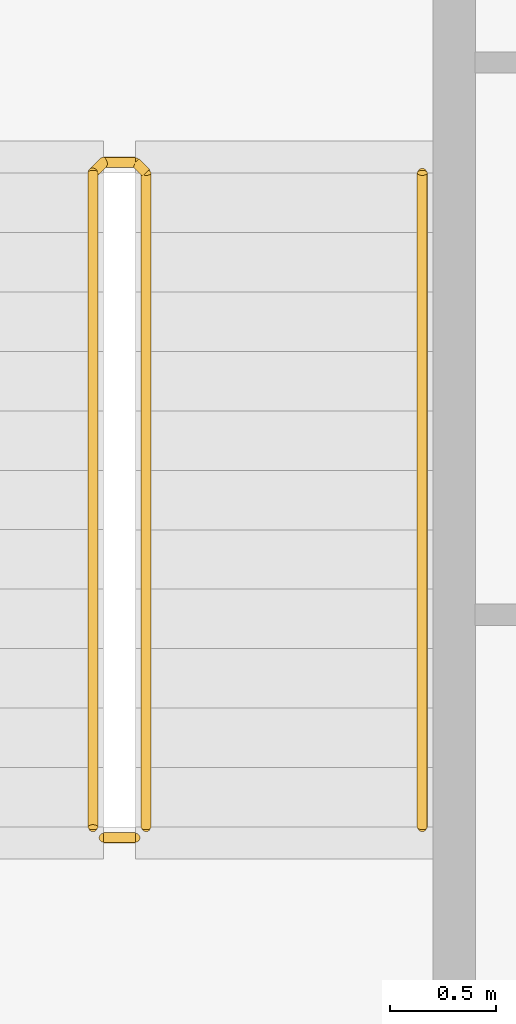
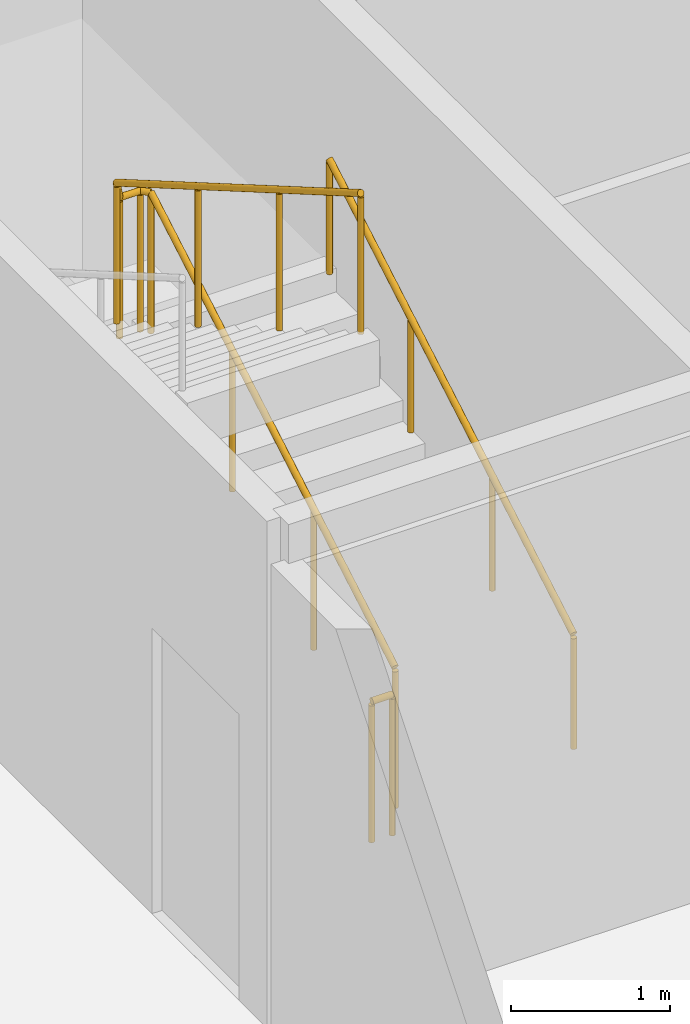
# One storey, part 26 of 27: 3 railings.
"""IFC4 building model written with IfcOpenShell, lengths in metres."""

from ifc_helpers import new_model, si_unit, direction, frame, origin, origin_2d, place, context, subcontext, project, spatial, circle, extrude, material, type_object, element, save


model = new_model("IFC4")

# Units and contexts
model_context = context("Model", 3, precision=1e-05, world=origin(), true_north=direction((0.0, 1.0)))
body_context = subcontext(model_context, "Body", "Model", "MODEL_VIEW")
ifc_project = project(units=[si_unit("LENGTHUNIT", "METRE"), si_unit("AREAUNIT", "SQUARE_METRE"), si_unit("VOLUMEUNIT", "CUBIC_METRE"), si_unit("PLANEANGLEUNIT", "RADIAN"), si_unit("MASSUNIT", "GRAM", prefix="KILO")], contexts=[model_context])

# Site, building, storey
site_placement = place(None, origin())
site = spatial("IfcSite", under=ifc_project, at=site_placement, CompositionType="ELEMENT")
building_placement = place(site_placement, origin())
building = spatial("IfcBuilding", under=site, at=building_placement, Name="Kheshtan School and Residences Tower", CompositionType="ELEMENT")
storey_placement = place(building_placement, frame((0.0, 0.0, 101.89990234375)))
storey = spatial("IfcBuildingStorey", under=building, at=storey_placement, Name="L23", CompositionType="ELEMENT", Elevation=101.89990234375)

# Railings
ifc_material_1 = material(Name="Stainless steel balustrade", Category="steel")
railing_type_1 = type_object("IfcRailingType", Name="Stair guard 1100", PredefinedType="GUARDRAIL", material=ifc_material_1)
railing_1_placement = place(storey_placement, frame((35.0, 80.89990234375, 0.16259765625)))
element("IfcRailing", 1, at=railing_1_placement, inside=storey, type_object=railing_type_1, Name="L23 ST3 stair guard 1", PredefinedType="GUARDRAIL", context=body_context, shape_type="SweptSolid", body=[
    extrude(circle(Radius=0.02392578125, at=origin_2d()), frame((0.0, 0.0, 1.076171875), z_axis=(0.0, 0.864890721111, 0.501960198159), x_axis=(-1.0, 0.0, 0.0)), (0.0, 0.0, 1.0), 3.561279296875),
    extrude(circle(Radius=0.02392578125, at=origin_2d()), frame((0.0, 3.080078125, 2.86376953125), z_axis=(-0.707106781187, 0.707106781187, 0.0), x_axis=(-0.707106781187, -0.707106781187, 0.0)), (0.0, 0.0, 1.0), 0.07080078125),
    extrude(circle(Radius=0.02392578125, at=origin_2d()), frame((-0.050048828125, 3.130126953125, 2.86376953125), z_axis=(-1.0, 0.0, 0.0), x_axis=(0.0, -1.0, 0.0)), (0.0, 0.0, 1.0), 0.14990234375),
    extrude(circle(Radius=0.02392578125, at=origin_2d()), frame((-0.199951171875, 3.130126953125, 2.86376953125), z_axis=(-0.282583949758, -0.282583949758, 0.916674763849), x_axis=(0.707106781187, -0.707106781187, 0.0)), (0.0, 0.0, 1.0), 0.177001953125),
    extrude(circle(Radius=0.02392578125, at=origin_2d()), frame((-0.25, 3.080078125, 3.02587890625), z_axis=(0.0, -0.864890721111, 0.501960198159), x_axis=(1.0, 0.0, 0.0)), (0.0, 0.0, 1.0), 3.561279296875),
    extrude(circle(Radius=0.02099609375, at=origin_2d()), origin(), (0.0, 0.0, 1.0), 1.052001953125),
    extrude(circle(Radius=0.02099609375, at=origin_2d()), frame((0.0, 1.026611328125, 0.595947265625)), (0.0, 0.0, 1.0), 1.052001953125),
    extrude(circle(Radius=0.02099609375, at=origin_2d()), frame((0.0, 2.053466796875, 1.191650390625)), (0.0, 0.0, 1.0), 1.052001953125),
    extrude(circle(Radius=0.02099609375, at=origin_2d()), frame((0.0, 3.080078125, 1.78759765625)), (0.0, 0.0, 1.0), 1.052001953125),
    extrude(circle(Radius=0.02099609375, at=origin_2d()), frame((-0.050048828125, 3.130126953125, 1.78759765625)), (0.0, 0.0, 1.0), 1.052001953125),
    extrude(circle(Radius=0.02099609375, at=origin_2d()), frame((-0.199951171875, 3.130126953125, 1.78759765625)), (0.0, 0.0, 1.0), 1.052001953125),
    extrude(circle(Radius=0.02099609375, at=origin_2d()), frame((-0.25, 3.080078125, 1.949951171875)), (0.0, 0.0, 1.0), 1.052001953125),
    extrude(circle(Radius=0.02099609375, at=origin_2d()), frame((-0.25, 2.053466796875, 2.5458984375)), (0.0, 0.0, 1.0), 1.052001953125),
    extrude(circle(Radius=0.02099609375, at=origin_2d()), frame((-0.25, 1.026611328125, 3.1416015625)), (0.0, 0.0, 1.0), 1.052001953125),
    extrude(circle(Radius=0.02099609375, at=origin_2d()), frame((-0.25, 0.0, 3.737548828125)), (0.0, 0.0, 1.0), 1.052001953125),
])
railing_2_placement = place(storey_placement, frame((34.949951171875, 80.85009765625, 0.0)))
element("IfcRailing", 2, at=railing_2_placement, inside=storey, type_object=railing_type_1, Name="L23 ST3 stair guard 2", PredefinedType="GUARDRAIL", context=body_context, shape_type="SweptSolid", body=[
    extrude(circle(Radius=0.02392578125, at=origin_2d()), frame((0.0, 0.0, 1.076171875), z_axis=(-1.0, 0.0, 0.0), x_axis=(0.0, -1.0, 0.0)), (0.0, 0.0, 1.0), 0.14990234375),
    extrude(circle(Radius=0.02099609375, at=origin_2d()), origin(), (0.0, 0.0, 1.0), 1.052001953125),
    extrude(circle(Radius=0.02099609375, at=origin_2d()), frame((-0.14990234375, 0.0, 0.0)), (0.0, 0.0, 1.0), 1.052001953125),
])
ifc_material_2 = material(Name="Stainless steel handrail", Category="steel")
railing_type_2 = type_object("IfcRailingType", Name="Stair handrail 900", PredefinedType="HANDRAIL", material=ifc_material_2)
railing_3_placement = place(storey_placement, frame((36.300048828125, 80.89990234375, 0.16259765625)))
element("IfcRailing", 3, at=railing_3_placement, inside=storey, type_object=railing_type_2, Name="L23 ST3 stair handrail 1", PredefinedType="HANDRAIL", context=body_context, shape_type="SweptSolid", body=[
    extrude(circle(Radius=0.02392578125, at=origin_2d()), frame((0.0, 0.0, 0.8759765625), z_axis=(0.0, 0.864890721111, 0.501960198159), x_axis=(-1.0, 0.0, 0.0)), (0.0, 0.0, 1.0), 3.561279296875),
    extrude(circle(Radius=0.02099609375, at=origin_2d()), origin(), (0.0, 0.0, 1.0), 0.851806640625),
    extrude(circle(Radius=0.02099609375, at=origin_2d()), frame((0.0, 1.026611328125, 0.595947265625)), (0.0, 0.0, 1.0), 0.851806640625),
    extrude(circle(Radius=0.02099609375, at=origin_2d()), frame((0.0, 2.053466796875, 1.191650390625)), (0.0, 0.0, 1.0), 0.851806640625),
    extrude(circle(Radius=0.02099609375, at=origin_2d()), frame((0.0, 3.080078125, 1.78759765625)), (0.0, 0.0, 1.0), 0.851806640625),
])

save(model, "model.ifc")
